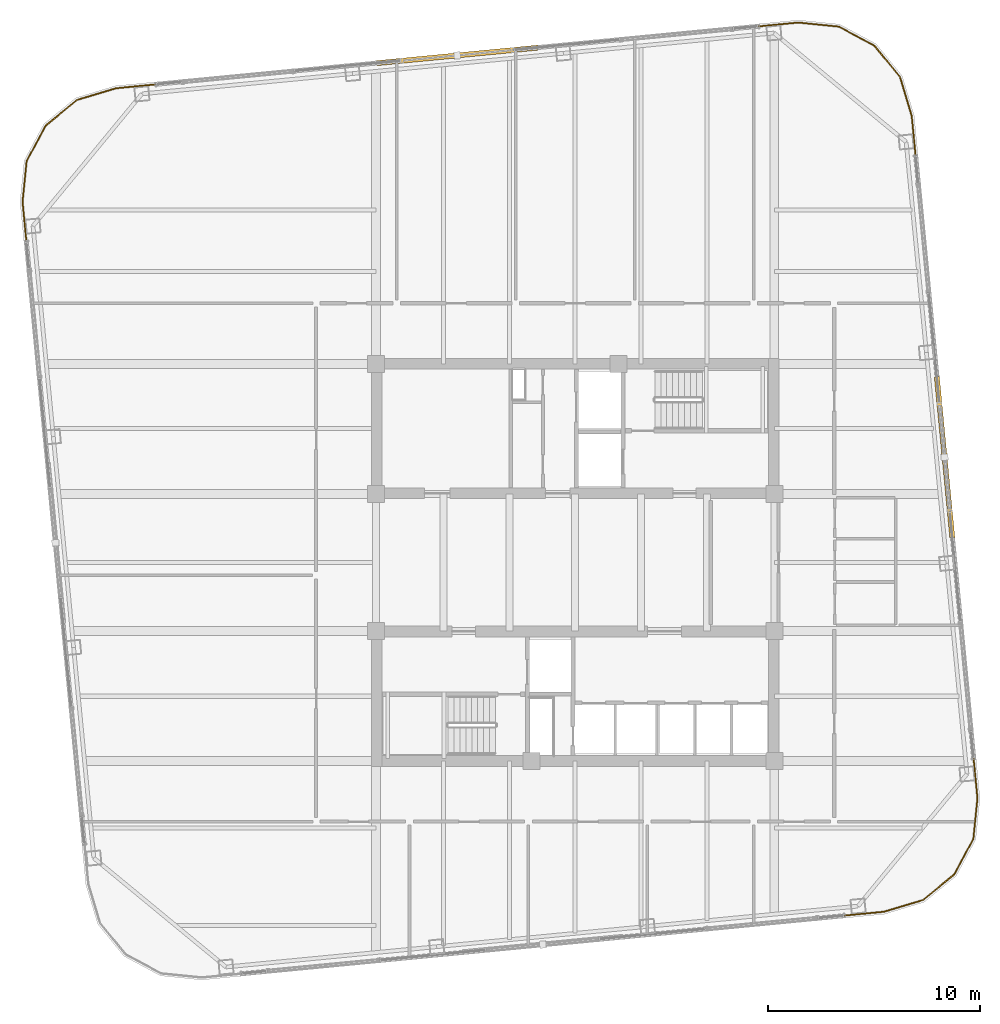
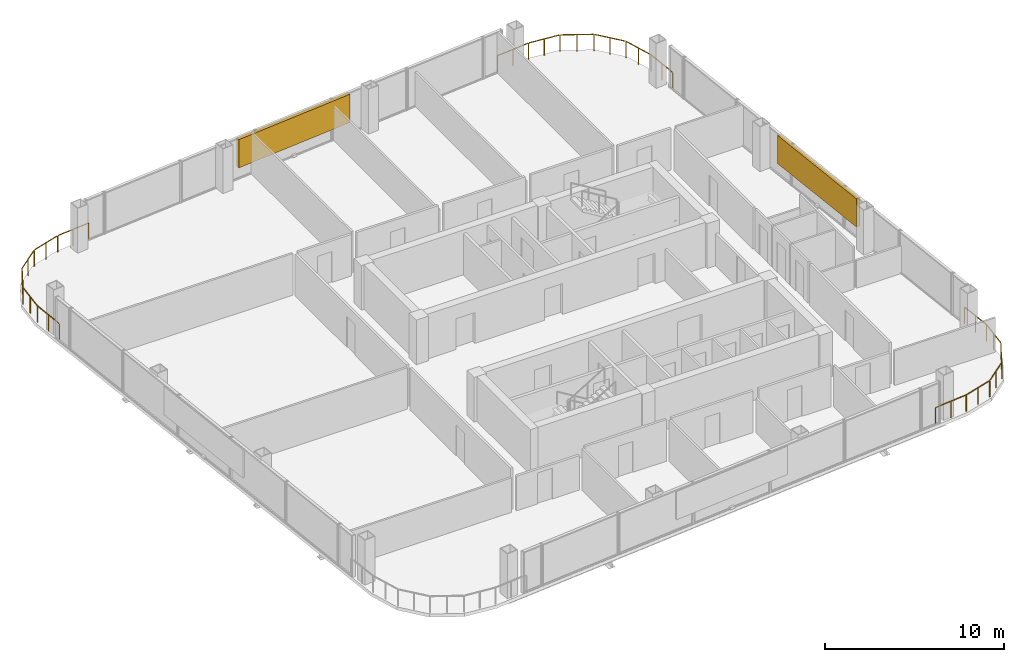
# One storey, part 22 of 22: 4 railings, 2 shading devices.
"""IFC4 building model written with IfcOpenShell, lengths in metres."""

import ifcopenshell
import ifcopenshell.guid

model = None  # the IFC model being written
_history = None  # IfcOwnerHistory: only IFC2X3 demands one
_inside = {}  # id of a spatial element -> (the spatial element, [elements in it])
_under = {}  # id of a project, library or spatial element -> (it, [spatial elements below it])
_declared = {}  # id of a project -> (the project, [libraries it declares])
_typed = {}  # id of a type object -> (the type object, [elements of that type])
_made_of = {}  # id of a material, layer set ... -> (it, [elements and type objects made of it])


def new_model(schema):
    """Start an empty IFC model of exactly this schema.

    Asked for "IFC4X3", IfcOpenShell would pick the latest addendum, in which some entities
    have other attributes; the version numbers below select the first issue.
    IFC2X3 requires an IfcOwnerHistory on every rooted entity: one is made here for all.
    """
    global model, _history
    if schema == "IFC4X3":
        model = ifcopenshell.file(schema_version=(4, 3, 0, 0))
    else:
        model = ifcopenshell.file(schema=schema)
    _inside.clear()
    _under.clear()
    _declared.clear()
    _typed.clear()
    _made_of.clear()
    _history = None
    if model.schema == "IFC2X3":
        org = make("IfcOrganization", Name="unknown")
        user = make(
            "IfcPersonAndOrganization",
            ThePerson=make("IfcPerson", FamilyName="unknown"),
            TheOrganization=org,
        )
        app = make(
            "IfcApplication",
            ApplicationDeveloper=org,
            Version="unknown",
            ApplicationFullName="unknown",
            ApplicationIdentifier="unknown",
        )
        _history = make(
            "IfcOwnerHistory",
            OwningUser=user,
            OwningApplication=app,
            ChangeAction="ADDED",
            CreationDate=0,
        )
    return model


def make(cls, **values):
    """One entity of the class cls with the attributes given. An attribute that is None is left unset."""
    return model.create_entity(
        cls, **{name: value for name, value in values.items() if value is not None}
    )


def rooted(cls, **values):
    """An entity with a GlobalId (a new one), such as an element, a storey or a relation."""
    return make(cls, GlobalId=ifcopenshell.guid.new(), OwnerHistory=_history, **values)


def si_unit(unit_type, name, prefix=None):
    """IfcSIUnit, for example si_unit("LENGTHUNIT", "METRE", prefix="MILLI")."""
    return make("IfcSIUnit", UnitType=unit_type, Prefix=prefix, Name=name)


def assignment(units):
    """IfcUnitAssignment: the units of a project."""
    return None if units is None else make("IfcUnitAssignment", Units=units)


def point(xyz):
    """IfcCartesianPoint."""
    return None if xyz is None else make("IfcCartesianPoint", Coordinates=xyz)


def direction(xyz):
    """IfcDirection."""
    return None if xyz is None else make("IfcDirection", DirectionRatios=xyz)


def frame(location, z_axis=None, x_axis=None):
    """IfcAxis2Placement3D, a coordinate frame: its origin and axes. An axis left out is left unset."""
    return make(
        "IfcAxis2Placement3D",
        Location=point(location),
        Axis=direction(z_axis),
        RefDirection=direction(x_axis),
    )


def frame_2d(location, x_axis=None):
    """IfcAxis2Placement2D, a coordinate frame in the plane: its origin and x axis."""
    return make(
        "IfcAxis2Placement2D", Location=point(location), RefDirection=direction(x_axis)
    )


def origin():
    """The frame at (0, 0, 0) with its axes left unset."""
    return frame((0.0, 0.0, 0.0))


def origin_2d():
    """The frame at (0, 0) in the plane with its x axis left unset."""
    return frame_2d((0.0, 0.0))


def place(relative_to, where):
    """IfcLocalPlacement: puts the frame where relative to a parent placement (None: the world)."""
    return make(
        "IfcLocalPlacement", PlacementRelTo=relative_to, RelativePlacement=where
    )


def context(
    kind, dimensions, precision=None, world=None, true_north=None, identifier=None
):
    """IfcGeometricRepresentationContext, for example the 3D "Model" context."""
    return make(
        "IfcGeometricRepresentationContext",
        ContextIdentifier=identifier,
        ContextType=kind,
        CoordinateSpaceDimension=dimensions,
        Precision=precision,
        WorldCoordinateSystem=world,
        TrueNorth=true_north,
    )


def subcontext(parent, identifier, kind, view, scale=None):
    """IfcGeometricRepresentationSubContext, for example "Body" below "Model"."""
    return make(
        "IfcGeometricRepresentationSubContext",
        ContextIdentifier=identifier,
        ContextType=kind,
        ParentContext=parent,
        TargetScale=scale,
        TargetView=view,
    )


def project(units=None, contexts=None):
    """IfcProject with its units and contexts."""
    return rooted(
        "IfcProject",
        Name="project",
        RepresentationContexts=contexts,
        UnitsInContext=assignment(units),
    )


def spatial(cls, under=None, at=None, **own):
    """A site, building, storey or space (cls), placed at a placement, below another one or the project."""
    s = rooted(cls, ObjectPlacement=at, **own)
    if under is not None:
        _under.setdefault(under.id(), (under, []))[1].append(s)
    return s


def profile(cls, at=None, kind="AREA", **sizes):
    """A parametric profile (cls). Its sizes go by their IFC names, for example OverallWidth=200.0."""
    return make(cls, ProfileType=kind, Position=at, **sizes)


def rectangle(**sizes):
    """IfcRectangleProfileDef."""
    return profile("IfcRectangleProfileDef", **sizes)


def extrude(swept, where, along, depth):
    """IfcExtrudedAreaSolid: the profile swept, set in the frame where, extruded along a direction by depth."""
    return make(
        "IfcExtrudedAreaSolid",
        SweptArea=swept,
        Position=where,
        ExtrudedDirection=direction(along),
        Depth=depth,
    )


def shape(context_of_items, identifier, shape_type, items):
    """IfcShapeRepresentation: the items that make up one representation, for example the "Body"."""
    return make(
        "IfcShapeRepresentation",
        ContextOfItems=context_of_items,
        RepresentationIdentifier=identifier,
        RepresentationType=shape_type,
        Items=items,
    )


def material(Name=None, Category=None):
    """IfcMaterial."""
    return make("IfcMaterial", Name=Name, Category=Category)


def made_of(thing, what):
    """Note that an element or type object is made of a material, layer set ...; save() writes the relation."""
    if what is not None:
        _made_of.setdefault(what.id(), (what, []))[1].append(thing)
    return thing


def type_object(cls, material=None, **own):
    """A type object (cls), such as IfcWallType, which elements share."""
    return made_of(rooted(cls, **own), material)


def element(
    cls,
    number,
    at=None,
    inside=None,
    cuts=None,
    type_object=None,
    material=None,
    context=None,
    identifier="Body",
    shape_type=None,
    held_by="IfcProductDefinitionShape",
    body=None,
    shapes=None,
    **own,
):
    """One element of the class cls, such as IfcWall. Its Tag is "e" and its number.

    at: its placement. inside: the storey or other place that contains it. cuts: it is an
    opening in that element (IfcRelVoidsElement). A single representation is given by context,
    identifier, shape_type and body (its items); several are given by shapes. held_by: the class
    of the entity that holds the representations. save() writes the other relations.
    """
    e = rooted(cls, Tag="e%d" % number, ObjectPlacement=at, **own)
    if body is not None:
        shapes = [shape(context, identifier, shape_type, body)]
    if shapes is not None:
        e.Representation = make(held_by, Representations=shapes)
    if inside is not None:
        _inside.setdefault(inside.id(), (inside, []))[1].append(e)
    if cuts is not None:
        rooted(
            "IfcRelVoidsElement", RelatingBuildingElement=cuts, RelatedOpeningElement=e
        )
    if type_object is not None:
        _typed.setdefault(type_object.id(), (type_object, []))[1].append(e)
    return made_of(e, material)


def aggregate(whole, parts):
    """IfcRelAggregates: a whole, such as a stair, and the parts it consists of."""
    return rooted("IfcRelAggregates", RelatingObject=whole, RelatedObjects=parts)


def save(model, path):
    """Write the relations noted so far, then the file.

    IfcRelAggregates (storeys below a building ...), IfcRelContainedInSpatialStructure (elements
    in a storey), IfcRelDefinesByType, IfcRelAssociatesMaterial and IfcRelDeclares: one each for
    every whole, place, type object, material and project.
    """
    for whole, parts in _under.values():
        aggregate(whole, parts)
    for where, things in _inside.values():
        rooted(
            "IfcRelContainedInSpatialStructure",
            RelatedElements=things,
            RelatingStructure=where,
        )
    for kind, things in _typed.values():
        rooted("IfcRelDefinesByType", RelatedObjects=things, RelatingType=kind)
    for what, things in _made_of.values():
        rooted("IfcRelAssociatesMaterial", RelatedObjects=things, RelatingMaterial=what)
    for by, libraries in _declared.values():
        rooted("IfcRelDeclares", RelatingContext=by, RelatedDefinitions=libraries)
    model.write(path)


model = new_model("IFC4")

# Units and contexts
model_context = context("Model", 3, precision=1e-05, world=origin(), true_north=direction((0.0, 1.0)))
body_context = subcontext(model_context, "Body", "Model", "MODEL_VIEW")
ifc_project = project(units=[si_unit("LENGTHUNIT", "METRE"), si_unit("AREAUNIT", "SQUARE_METRE"), si_unit("VOLUMEUNIT", "CUBIC_METRE"), si_unit("PLANEANGLEUNIT", "RADIAN"), si_unit("MASSUNIT", "GRAM", prefix="KILO")], contexts=[model_context])

# Site, building, storey
site_placement = place(None, origin())
site = spatial("IfcSite", under=ifc_project, at=site_placement, CompositionType="ELEMENT")
building_placement = place(site_placement, origin())
building = spatial("IfcBuilding", under=site, at=building_placement, Name="Qhalaya Broadcast Tower", CompositionType="ELEMENT")
storey_placement = place(building_placement, frame((0.0, 0.0, 165.300048828125)))
storey = spatial("IfcBuildingStorey", under=building, at=storey_placement, Name="L48", CompositionType="ELEMENT", Elevation=165.300048828125)

# Railings
ifc_material_1 = material(Name="Powder-Coated Galvanised Steel", Category="steel")
railing_type = type_object("IfcRailingType", Name="Terrace, Sky-Pool & Lookout Glass Balustrade 1150", PredefinedType="BALUSTRADE", material=ifc_material_1)
railing_1_placement = place(storey_placement, frame((14.53955078125, -15.846435546875, 0.0)))
element("IfcRailing", 1, at=railing_1_placement, inside=storey, type_object=railing_type, Name="L48 Rounded Corner Perimeter Guard 01", PredefinedType="BALUSTRADE", context=body_context, shape_type="SweptSolid", body=[
    extrude(rectangle(XDim=0.048095703125, YDim=0.048095703125, at=origin_2d()), frame((0.0, 0.0, 1.1259765625), z_axis=(-0.995402268864, -0.095782687057, 0.0), x_axis=(0.095782687057, -0.995402268864, 0.0)), (0.0, 0.0, 1.0), 2.1181640625),
    extrude(rectangle(XDim=0.0419921875, YDim=0.0419921875, at=origin_2d()), origin(), (0.0, 0.0, 1.0), 1.099853515625),
    extrude(rectangle(XDim=0.0419921875, YDim=0.0419921875, at=origin_2d()), frame((-1.05419921875, -0.1015625, 0.0)), (0.0, 0.0, 1.0), 1.099853515625),
    extrude(rectangle(XDim=0.0419921875, YDim=0.0419921875, at=origin_2d()), frame((-2.1083984375, -0.202880859375, 0.0)), (0.0, 0.0, 1.0), 1.099853515625),
])
railing_2_placement = place(storey_placement, frame((-25.81689453125, 15.479736328125, 0.0)))
element("IfcRailing", 2, at=railing_2_placement, inside=storey, type_object=railing_type, Name="L48 Rounded Corner Perimeter Guard 03", PredefinedType="BALUSTRADE", context=body_context, shape_type="SweptSolid", body=[
    extrude(rectangle(XDim=0.048095703125, YDim=0.048095703125, at=origin_2d()), frame((0.0, 0.0, 1.1259765625), z_axis=(-0.095896889673, 0.995391273094, 0.0), x_axis=(-0.995391273094, -0.095896889673, 0.0)), (0.0, 0.0, 1.0), 2.08935546875),
    extrude(rectangle(XDim=0.048095703125, YDim=0.048095703125, at=origin_2d()), frame((-0.2001953125, 2.13720703125, 1.1259765625), z_axis=(0.100185175984, 0.994968808814, 0.0), x_axis=(-0.994968808814, 0.100185175984, 0.0)), (0.0, 0.0, 1.0), 1.857666015625),
    extrude(rectangle(XDim=0.048095703125, YDim=0.048095703125, at=origin_2d()), frame((0.00244140625, 4.03955078125, 1.1259765625), z_axis=(0.473342342286, 0.880878554058, 0.0), x_axis=(-0.880878554058, 0.473342342286, 0.0)), (0.0, 0.0, 1.0), 1.845458984375),
    extrude(rectangle(XDim=0.048095703125, YDim=0.048095703125, at=origin_2d()), frame((0.912109375, 5.708984375, 1.1259765625), z_axis=(0.774368685352, 0.632734651451, 0.0), x_axis=(-0.632734651451, 0.774368685352, 0.0)), (0.0, 0.0, 1.0), 1.84521484375),
    extrude(rectangle(XDim=0.048095703125, YDim=0.048095703125, at=origin_2d()), frame((2.390869140625, 6.903076171875, 1.1259765625), z_axis=(0.957576860039, 0.288177995547, 0.0), x_axis=(-0.288177995547, 0.957576860039, 0.0)), (0.0, 0.0, 1.0), 1.857666015625),
    extrude(rectangle(XDim=0.048095703125, YDim=0.048095703125, at=origin_2d()), frame((4.226318359375, 7.449462890625, 1.1259765625), z_axis=(0.995402268864, 0.095782687057, 0.0), x_axis=(-0.095782687057, 0.995402268864, 0.0)), (0.0, 0.0, 1.0), 2.08935546875),
    extrude(rectangle(XDim=0.0419921875, YDim=0.0419921875, at=origin_2d()), origin(), (0.0, 0.0, 1.0), 1.099853515625),
    extrude(rectangle(XDim=0.0419921875, YDim=0.0419921875, at=origin_2d()), frame((-0.1015625, 1.05419921875, 0.0)), (0.0, 0.0, 1.0), 1.099853515625),
    extrude(rectangle(XDim=0.0419921875, YDim=0.0419921875, at=origin_2d()), frame((-0.203125, 2.1083984375, 0.0)), (0.0, 0.0, 1.0), 1.099853515625),
    extrude(rectangle(XDim=0.0419921875, YDim=0.0419921875, at=origin_2d()), frame((-0.107177734375, 3.061279296875, 0.0)), (0.0, 0.0, 1.0), 1.099853515625),
    extrude(rectangle(XDim=0.0419921875, YDim=0.0419921875, at=origin_2d()), frame((-0.01123046875, 4.01416015625, 0.0)), (0.0, 0.0, 1.0), 1.099853515625),
    extrude(rectangle(XDim=0.0419921875, YDim=0.0419921875, at=origin_2d()), frame((0.439208984375, 4.8525390625, 0.0)), (0.0, 0.0, 1.0), 1.099853515625),
    extrude(rectangle(XDim=0.0419921875, YDim=0.0419921875, at=origin_2d()), frame((0.8896484375, 5.690673828125, 0.0)), (0.0, 0.0, 1.0), 1.099853515625),
    extrude(rectangle(XDim=0.0419921875, YDim=0.0419921875, at=origin_2d()), frame((1.62646484375, 6.292724609375, 0.0)), (0.0, 0.0, 1.0), 1.099853515625),
    extrude(rectangle(XDim=0.0419921875, YDim=0.0419921875, at=origin_2d()), frame((2.36328125, 6.894775390625, 0.0)), (0.0, 0.0, 1.0), 1.099853515625),
    extrude(rectangle(XDim=0.0419921875, YDim=0.0419921875, at=origin_2d()), frame((3.2802734375, 7.1708984375, 0.0)), (0.0, 0.0, 1.0), 1.099853515625),
    extrude(rectangle(XDim=0.0419921875, YDim=0.0419921875, at=origin_2d()), frame((4.197509765625, 7.44677734375, 0.0)), (0.0, 0.0, 1.0), 1.099853515625),
    extrude(rectangle(XDim=0.0419921875, YDim=0.0419921875, at=origin_2d()), frame((5.251708984375, 7.54833984375, 0.0)), (0.0, 0.0, 1.0), 1.099853515625),
    extrude(rectangle(XDim=0.0419921875, YDim=0.0419921875, at=origin_2d()), frame((6.305908203125, 7.649658203125, 0.0)), (0.0, 0.0, 1.0), 1.099853515625),
])
railing_3_placement = place(storey_placement, frame((8.39990234375, 25.81689453125, 0.0)))
element("IfcRailing", 3, at=railing_3_placement, inside=storey, type_object=railing_type, Name="L48 Rounded Corner Perimeter Guard 04", PredefinedType="BALUSTRADE", context=body_context, shape_type="SweptSolid", body=[
    extrude(rectangle(XDim=0.048095703125, YDim=0.048095703125, at=origin_2d()), frame((0.0, 0.0, 1.1259765625), z_axis=(0.995391273094, 0.095896889673, 0.0), x_axis=(-0.095896889673, 0.995391273094, 0.0)), (0.0, 0.0, 1.0), 2.08935546875),
    extrude(rectangle(XDim=0.048095703125, YDim=0.048095703125, at=origin_2d()), frame((2.13720703125, 0.2001953125, 1.1259765625), z_axis=(0.994967529225, -0.100197883148, 0.0), x_axis=(0.100197883148, 0.994967529225, 0.0)), (0.0, 0.0, 1.0), 1.857421875),
    extrude(rectangle(XDim=0.048095703125, YDim=0.048095703125, at=origin_2d()), frame((4.039306640625, -0.00244140625, 1.1259765625), z_axis=(0.880878554058, -0.473342342286, 0.0), x_axis=(0.473342342286, 0.880878554058, 0.0)), (0.0, 0.0, 1.0), 1.845458984375),
    extrude(rectangle(XDim=0.048095703125, YDim=0.048095703125, at=origin_2d()), frame((5.708740234375, -0.912109375, 1.1259765625), z_axis=(0.632734651451, -0.774368685352, 0.0), x_axis=(0.774368685352, 0.632734651451, 0.0)), (0.0, 0.0, 1.0), 1.84521484375),
    extrude(rectangle(XDim=0.048095703125, YDim=0.048095703125, at=origin_2d()), frame((6.90283203125, -2.390869140625, 1.1259765625), z_axis=(0.288177995547, -0.957576860039, 0.0), x_axis=(0.957576860039, 0.288177995547, 0.0)), (0.0, 0.0, 1.0), 1.857666015625),
    extrude(rectangle(XDim=0.048095703125, YDim=0.048095703125, at=origin_2d()), frame((7.44921875, -4.226318359375, 1.1259765625), z_axis=(0.095782687057, -0.995402268864, 0.0), x_axis=(0.995402268864, 0.095782687057, 0.0)), (0.0, 0.0, 1.0), 2.08935546875),
    extrude(rectangle(XDim=0.0419921875, YDim=0.0419921875, at=origin_2d()), origin(), (0.0, 0.0, 1.0), 1.099853515625),
    extrude(rectangle(XDim=0.0419921875, YDim=0.0419921875, at=origin_2d()), frame((1.05419921875, 0.1015625, 0.0)), (0.0, 0.0, 1.0), 1.099853515625),
    extrude(rectangle(XDim=0.0419921875, YDim=0.0419921875, at=origin_2d()), frame((2.1083984375, 0.203125, 0.0)), (0.0, 0.0, 1.0), 1.099853515625),
    extrude(rectangle(XDim=0.0419921875, YDim=0.0419921875, at=origin_2d()), frame((3.06103515625, 0.107177734375, 0.0)), (0.0, 0.0, 1.0), 1.099853515625),
    extrude(rectangle(XDim=0.0419921875, YDim=0.0419921875, at=origin_2d()), frame((4.013916015625, 0.01123046875, 0.0)), (0.0, 0.0, 1.0), 1.099853515625),
    extrude(rectangle(XDim=0.0419921875, YDim=0.0419921875, at=origin_2d()), frame((4.85205078125, -0.439208984375, 0.0)), (0.0, 0.0, 1.0), 1.099853515625),
    extrude(rectangle(XDim=0.0419921875, YDim=0.0419921875, at=origin_2d()), frame((5.6904296875, -0.8896484375, 0.0)), (0.0, 0.0, 1.0), 1.099853515625),
    extrude(rectangle(XDim=0.0419921875, YDim=0.0419921875, at=origin_2d()), frame((6.29248046875, -1.62646484375, 0.0)), (0.0, 0.0, 1.0), 1.099853515625),
    extrude(rectangle(XDim=0.0419921875, YDim=0.0419921875, at=origin_2d()), frame((6.89453125, -2.36328125, 0.0)), (0.0, 0.0, 1.0), 1.099853515625),
    extrude(rectangle(XDim=0.0419921875, YDim=0.0419921875, at=origin_2d()), frame((7.17041015625, -3.2802734375, 0.0)), (0.0, 0.0, 1.0), 1.099853515625),
    extrude(rectangle(XDim=0.0419921875, YDim=0.0419921875, at=origin_2d()), frame((7.446533203125, -4.197509765625, 0.0)), (0.0, 0.0, 1.0), 1.099853515625),
    extrude(rectangle(XDim=0.0419921875, YDim=0.0419921875, at=origin_2d()), frame((7.5478515625, -5.251708984375, 0.0)), (0.0, 0.0, 1.0), 1.099853515625),
    extrude(rectangle(XDim=0.0419921875, YDim=0.0419921875, at=origin_2d()), frame((7.6494140625, -6.305908203125, 0.0)), (0.0, 0.0, 1.0), 1.099853515625),
])
railing_4_placement = place(storey_placement, frame((18.73681640625, -8.39990234375, 0.0)))
element("IfcRailing", 4, at=railing_4_placement, inside=storey, type_object=railing_type, Name="L48 Rounded Corner Perimeter Guard 05", PredefinedType="BALUSTRADE", context=body_context, shape_type="SweptSolid", body=[
    extrude(rectangle(XDim=0.048095703125, YDim=0.048095703125, at=origin_2d()), frame((0.0, 0.0, 1.1259765625), z_axis=(0.095896889673, -0.995391273094, 0.0), x_axis=(0.995391273094, 0.095896889673, 0.0)), (0.0, 0.0, 1.0), 2.08935546875),
    extrude(rectangle(XDim=0.048095703125, YDim=0.048095703125, at=origin_2d()), frame((0.2001953125, -2.13720703125, 1.1259765625), z_axis=(-0.100197883148, -0.994967529225, 0.0), x_axis=(0.994967529225, -0.100197883148, 0.0)), (0.0, 0.0, 1.0), 1.857421875),
    extrude(rectangle(XDim=0.048095703125, YDim=0.048095703125, at=origin_2d()), frame((-0.00244140625, -4.039306640625, 1.1259765625), z_axis=(-0.473242797018, -0.880932037714, 0.0), x_axis=(0.880932037714, -0.473242797018, 0.0)), (0.0, 0.0, 1.0), 1.845458984375),
    extrude(rectangle(XDim=0.048095703125, YDim=0.048095703125, at=origin_2d()), frame((-0.911865234375, -5.708740234375, 1.1259765625), z_axis=(-0.774420039683, -0.632671796541, 0.0), x_axis=(0.632671796541, -0.774420039683, 0.0)), (0.0, 0.0, 1.0), 1.845458984375),
    extrude(rectangle(XDim=0.048095703125, YDim=0.048095703125, at=origin_2d()), frame((-2.390869140625, -6.90283203125, 1.1259765625), z_axis=(-0.95756627332, -0.288213171456, 0.0), x_axis=(0.288213171456, -0.95756627332, 0.0)), (0.0, 0.0, 1.0), 1.886474609375),
    extrude(rectangle(XDim=0.0419921875, YDim=0.0419921875, at=origin_2d()), origin(), (0.0, 0.0, 1.0), 1.099853515625),
    extrude(rectangle(XDim=0.0419921875, YDim=0.0419921875, at=origin_2d()), frame((0.1015625, -1.05419921875, 0.0)), (0.0, 0.0, 1.0), 1.099853515625),
    extrude(rectangle(XDim=0.0419921875, YDim=0.0419921875, at=origin_2d()), frame((0.203125, -2.1083984375, 0.0)), (0.0, 0.0, 1.0), 1.099853515625),
    extrude(rectangle(XDim=0.0419921875, YDim=0.0419921875, at=origin_2d()), frame((0.107177734375, -3.06103515625, 0.0)), (0.0, 0.0, 1.0), 1.099853515625),
    extrude(rectangle(XDim=0.0419921875, YDim=0.0419921875, at=origin_2d()), frame((0.01123046875, -4.013916015625, 0.0)), (0.0, 0.0, 1.0), 1.099853515625),
    extrude(rectangle(XDim=0.0419921875, YDim=0.0419921875, at=origin_2d()), frame((-0.43896484375, -4.85205078125, 0.0)), (0.0, 0.0, 1.0), 1.099853515625),
    extrude(rectangle(XDim=0.0419921875, YDim=0.0419921875, at=origin_2d()), frame((-0.889404296875, -5.6904296875, 0.0)), (0.0, 0.0, 1.0), 1.099853515625),
    extrude(rectangle(XDim=0.0419921875, YDim=0.0419921875, at=origin_2d()), frame((-1.62646484375, -6.29248046875, 0.0)), (0.0, 0.0, 1.0), 1.099853515625),
    extrude(rectangle(XDim=0.0419921875, YDim=0.0419921875, at=origin_2d()), frame((-2.36328125, -6.89453125, 0.0)), (0.0, 0.0, 1.0), 1.099853515625),
    extrude(rectangle(XDim=0.0419921875, YDim=0.0419921875, at=origin_2d()), frame((-3.2802734375, -7.17041015625, 0.0)), (0.0, 0.0, 1.0), 1.099853515625),
    extrude(rectangle(XDim=0.0419921875, YDim=0.0419921875, at=origin_2d()), frame((-4.197265625, -7.446533203125, 0.0)), (0.0, 0.0, 1.0), 1.099853515625),
])

# Shading devices
ifc_material_2 = material(Name="Fired Architectural Terracotta", Category="masonry")
shading_device_type = type_object("IfcShadingDeviceType", Name="Terracotta Baguette Solar Screen Assembly TBS-01", PredefinedType="USERDEFINED", material=ifc_material_2)
for number, where, z_axis, x_axis, name in (
    (5, (17.393310546875, 5.5556640625, 0.79248046875), (0.0, 0.0, 1.0), (-0.09584575252, 0.995396198367, 0.0), "L48 Fired Terracotta Baguette Screen E"),
    (6, (-5.5556640625, 24.47314453125, 0.79248046875), (0.0, 0.0, 1.0), (-0.995396198367, -0.09584575252, 0.0), "L48 Fired Terracotta Baguette Screen N"),
):
    element("IfcShadingDevice", number, at=place(storey_placement, frame(where, z_axis=z_axis, x_axis=x_axis)), inside=storey, type_object=shading_device_type, Name=name, ObjectType="BAGUETTE", PredefinedType="USERDEFINED", context=body_context, shape_type="SweptSolid", body=[
        extrude(rectangle(XDim=7.60009765625, YDim=0.239990234375, at=origin_2d()), origin(), (0.0, 0.0, 1.0), 1.924072265625),
    ])

save(model, "model.ifc")
